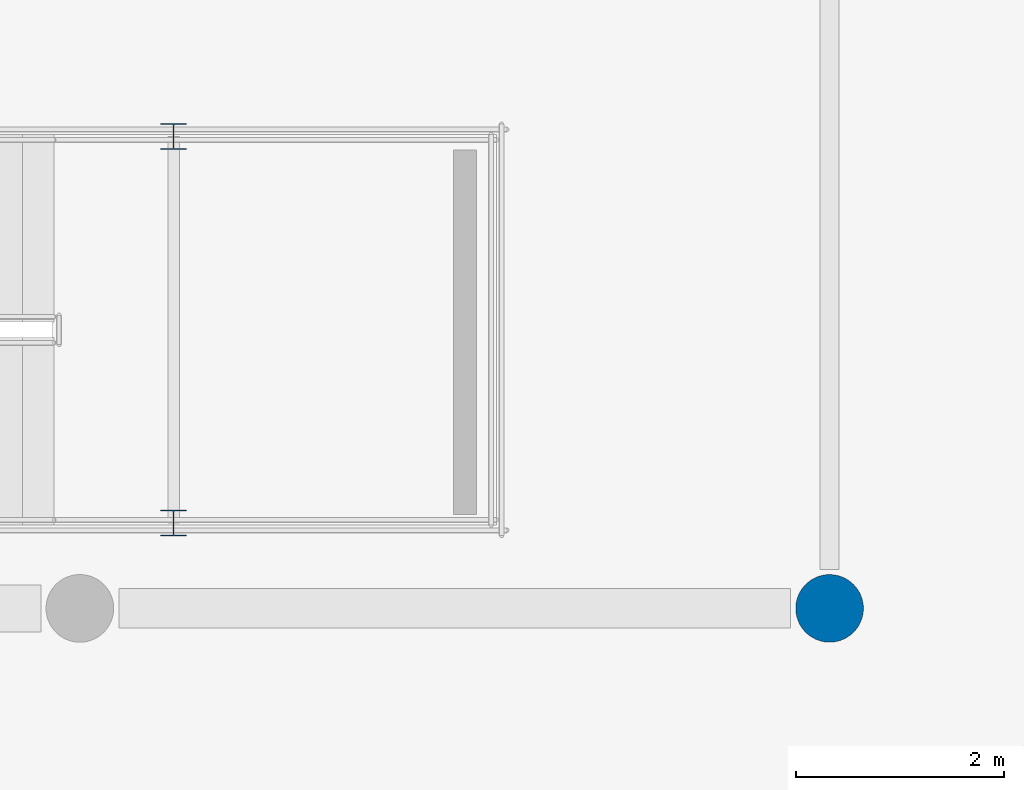
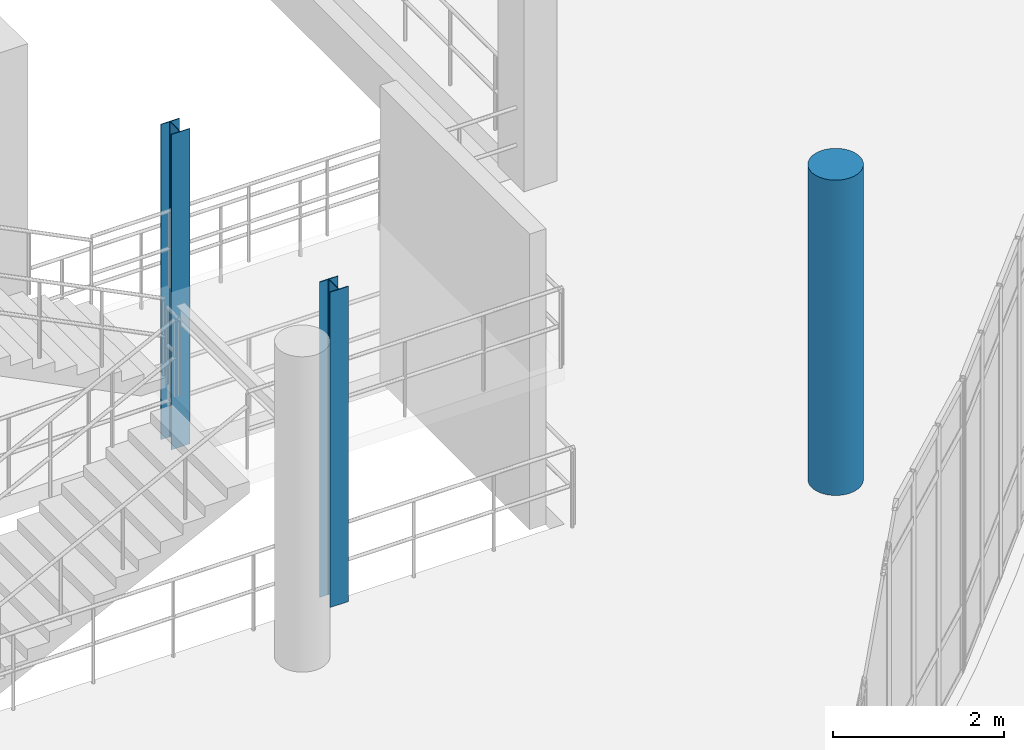
# One storey, part 4 of 134: 3 columns.
"""IFC4 building model written with IfcOpenShell, lengths in metres."""

from ifc_helpers import new_model, si_unit, direction, frame, origin, origin_2d, place, context, subcontext, project, spatial, circle, i_section, extrude, material, material_profile, profile_set, type_object, element, save


model = new_model("IFC4")

# Units and contexts
model_context = context("Model", 3, precision=1e-05, world=origin(), true_north=direction((0.0, 1.0)))
body_context = subcontext(model_context, "Body", "Model", "MODEL_VIEW")
ifc_project = project(units=[si_unit("LENGTHUNIT", "METRE"), si_unit("AREAUNIT", "SQUARE_METRE"), si_unit("VOLUMEUNIT", "CUBIC_METRE"), si_unit("PLANEANGLEUNIT", "RADIAN"), si_unit("MASSUNIT", "GRAM", prefix="KILO")], contexts=[model_context])

# Site, building, storey
site_placement = place(None, origin())
site = spatial("IfcSite", under=ifc_project, at=site_placement, CompositionType="ELEMENT")
building_placement = place(site_placement, origin())
building = spatial("IfcBuilding", under=site, at=building_placement, Name="Kalluvel Institute of Natural Sciences", CompositionType="ELEMENT")
storey_placement = place(building_placement, frame((0.0, 0.0, 5.39990234375)))
storey = spatial("IfcBuildingStorey", under=building, at=storey_placement, Name="L01", CompositionType="ELEMENT", Elevation=5.39990234375)

# Columns
ifc_material_1 = material(Name="Steel E350 Grade 350", Category="steel")
ifc_material_profile_1 = material_profile(ifc_material_1, i_section(OverallWidth=0.25, OverallDepth=0.25, WebThickness=0.0087890625, FlangeThickness=0.009765625, FilletRadius=0.010009765625, at=origin_2d()), Name="ISHB 250")
ifc_profile_set_1 = profile_set([ifc_material_profile_1], Name="Steel E350 Grade 350")
column_type_1 = type_object("IfcColumnType", Name="COL-ISHB250", PredefinedType="COLUMN", material=ifc_profile_set_1)
for number, where, z_axis, x_axis, name in (
    (1, (65.300048828125, 72.419921875, 0.0), (0.0, 0.0, 1.0), (1.0, 0.0, 0.0), "L01 Atrium feature stair landing post S"),
    (2, (65.300048828125, 76.1298828125, 0.0), (0.0, 0.0, 1.0), (1.0, 0.0, 0.0), "L01 Atrium feature stair landing post N"),
):
    element("IfcColumn", number, at=place(storey_placement, frame(where, z_axis=z_axis, x_axis=x_axis)), inside=storey, type_object=column_type_1, Name=name, PredefinedType="COLUMN", context=body_context, shape_type="SweptSolid", body=[
        extrude(i_section(OverallWidth=0.25, OverallDepth=0.25, WebThickness=0.0087890625, FlangeThickness=0.009765625, FilletRadius=0.010009765625, at=origin_2d()), origin(), (0.0, 0.0, 1.0), 4.5),
    ])
ifc_material_2 = material(Name="Concrete M40", Category="concrete")
ifc_material_profile_2 = material_profile(ifc_material_2, circle(Radius=0.324951171875, at=origin_2d()), Name="RCCOL D650")
ifc_profile_set_2 = profile_set([ifc_material_profile_2], Name="Concrete M40")
column_type_2 = type_object("IfcColumnType", Name="COL-RCD650", PredefinedType="COLUMN", material=ifc_profile_set_2)
column_placement = place(storey_placement, frame((71.60009765625, 71.60009765625, 0.0), z_axis=(0.0, 0.0, 1.0), x_axis=(1.0, 0.0, 0.0)))
element("IfcColumn", 3, at=column_placement, inside=storey, type_object=column_type_2, Name="L01 structural column COL-L01-X716-Y716", PredefinedType="COLUMN", context=body_context, shape_type="SweptSolid", body=[
    extrude(circle(Radius=0.324951171875, at=origin_2d()), origin(), (0.0, 0.0, 1.0), 4.5),
])

save(model, "model.ifc")
